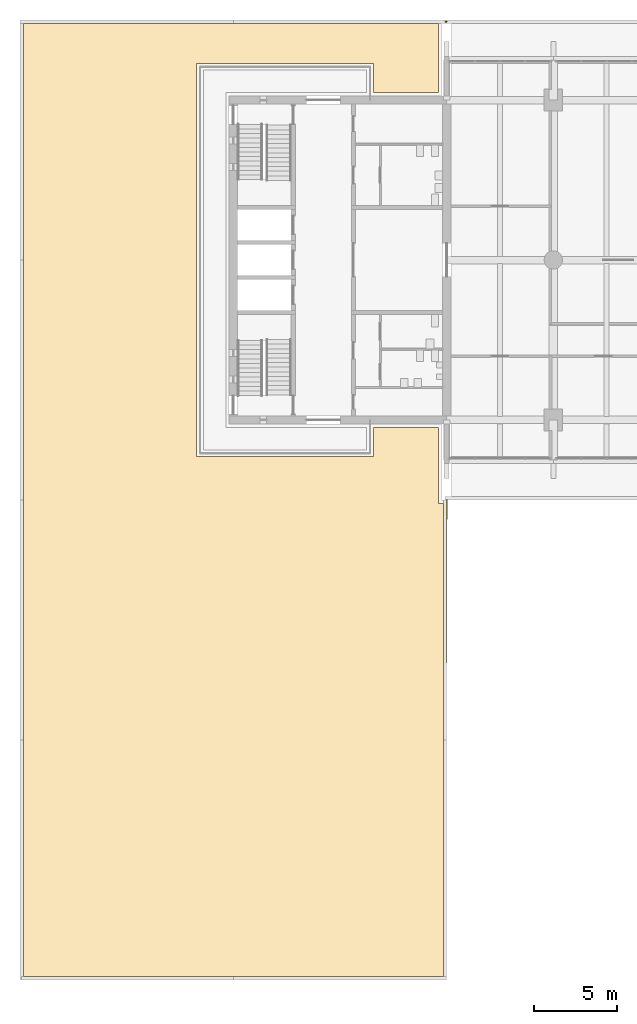
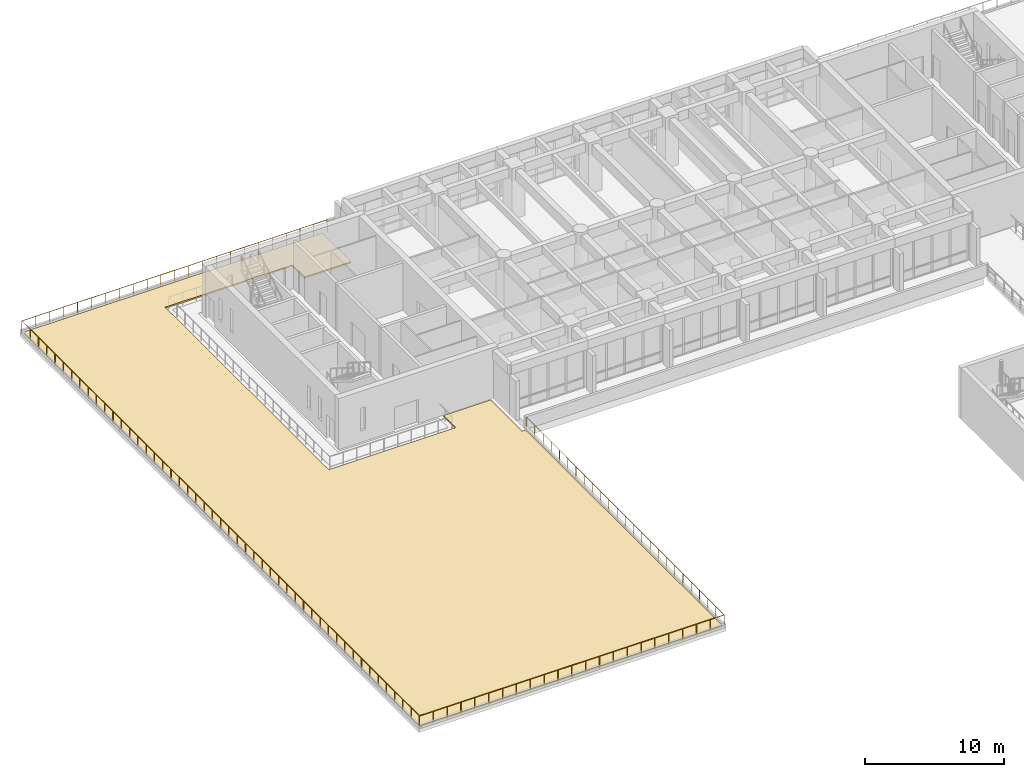
# One storey, part 17 of 21: 1 covering, 1 railing.
"""IFC4 building model written with IfcOpenShell, lengths in metres."""

from ifc_helpers import new_model, si_unit, direction, frame, origin, origin_2d, place, context, subcontext, project, spatial, polyline, circle, outline, extrude, material, layer, layer_set, type_object, element, save


model = new_model("IFC4")

# Units and contexts
model_context = context("Model", 3, precision=1e-05, world=origin(), true_north=direction((0.0, 1.0)))
body_context = subcontext(model_context, "Body", "Model", "MODEL_VIEW")
ifc_project = project(units=[si_unit("LENGTHUNIT", "METRE"), si_unit("AREAUNIT", "SQUARE_METRE"), si_unit("VOLUMEUNIT", "CUBIC_METRE"), si_unit("PLANEANGLEUNIT", "RADIAN"), si_unit("MASSUNIT", "GRAM", prefix="KILO")], contexts=[model_context])

# Site, building, storey
site_placement = place(None, origin())
site = spatial("IfcSite", under=ifc_project, at=site_placement, CompositionType="ELEMENT")
building_placement = place(site_placement, origin())
building = spatial("IfcBuilding", under=site, at=building_placement, Name="Fogon Plaza Fire Station and Headquarters Tower", CompositionType="ELEMENT")
storey_placement = place(building_placement, frame((0.0, 0.0, 8.39990234375)))
storey = spatial("IfcBuildingStorey", under=building, at=storey_placement, Name="L02", CompositionType="ELEMENT", Elevation=8.39990234375)

# Covering
ifc_material_1 = material(Name="Extensive green roof substrate and sedum")
ifc_layer = layer(ifc_material_1, 0.1201171875)
ifc_layer_set = layer_set([ifc_layer], Name="Extensive green roof substrate and sedum")
covering_type = type_object("IfcCoveringType", Name="Extensive Green Roof 120", PredefinedType="USERDEFINED", material=ifc_layer_set)
covering_placement = place(storey_placement, origin())
element("IfcCovering", 1, at=covering_placement, inside=storey, type_object=covering_type, Name="Green roof W", ObjectType="GREEN ROOF", PredefinedType="USERDEFINED", context=body_context, shape_type="SweptSolid", body=[
    extrude(outline(polyline([(0.199951171875, 0.199951171875), (0.199951171875, 57.39990234375), (25.10009765625, 57.39990234375), (25.10009765625, 53.25), (21.199951171875, 53.25), (21.199951171875, 55.0), (10.60009765625, 55.0), (10.60009765625, 31.39990234375), (21.199951171875, 31.39990234375), (21.199951171875, 33.14990234375), (25.10009765625, 33.14990234375), (25.10009765625, 28.60009765625), (25.39990234375, 28.60009765625), (25.39990234375, 0.199951171875), (0.199951171875, 0.199951171875)])), origin(), (0.0, 0.0, 1.0), 0.1201171875),
])

# Railing
ifc_material_2 = material(Name="Galvanised Steel", Category="steel")
railing_type = type_object("IfcRailingType", Name="Terrace Guard Steel 1100", PredefinedType="GUARDRAIL", material=ifc_material_2)
railing_placement = place(storey_placement, frame((25.60009765625, 28.800048828125, 0.0)))
element("IfcRailing", 2, at=railing_placement, inside=storey, type_object=railing_type, Name="rail-L02-terrace-TW", PredefinedType="GUARDRAIL", context=body_context, shape_type="SweptSolid", body=[
    extrude(circle(Radius=0.02392578125, at=origin_2d()), frame((0.0, 0.0, 1.076171875), z_axis=(-0.003487707935, -0.999993917928, 0.0), x_axis=(0.999993917928, -0.003487707935, 0.0)), (0.0, 0.0, 1.0), 28.7001953125),
    extrude(circle(Radius=0.02392578125, at=origin_2d()), frame((-0.10009765625, -28.699951171875, 1.076171875), z_axis=(-1.0, 0.0, 0.0), x_axis=(0.0, -1.0, 0.0)), (0.0, 0.0, 1.0), 25.39990234375),
    extrude(circle(Radius=0.02392578125, at=origin_2d()), frame((-25.5, -28.699951171875, 1.076171875), z_axis=(0.0, 1.0, 0.0), x_axis=(-1.0, 0.0, 0.0)), (0.0, 0.0, 1.0), 57.39990234375),
    extrude(circle(Radius=0.02392578125, at=origin_2d()), frame((-25.5, 28.699951171875, 1.076171875), z_axis=(1.0, 0.0, 0.0), x_axis=(0.0, 1.0, 0.0)), (0.0, 0.0, 1.0), 25.5),
    extrude(circle(Radius=0.02099609375, at=origin_2d()), origin(), (0.0, 0.0, 1.0), 1.052001953125),
    extrude(circle(Radius=0.02099609375, at=origin_2d()), frame((-0.004150390625, -1.19580078125, 0.0)), (0.0, 0.0, 1.0), 1.052001953125),
    extrude(circle(Radius=0.02099609375, at=origin_2d()), frame((-0.00830078125, -2.3916015625, 0.0)), (0.0, 0.0, 1.0), 1.052001953125),
    extrude(circle(Radius=0.02099609375, at=origin_2d()), frame((-0.012451171875, -3.58740234375, 0.0)), (0.0, 0.0, 1.0), 1.052001953125),
    extrude(circle(Radius=0.02099609375, at=origin_2d()), frame((-0.0166015625, -4.783203125, 0.0)), (0.0, 0.0, 1.0), 1.052001953125),
    extrude(circle(Radius=0.02099609375, at=origin_2d()), frame((-0.020751953125, -5.979248046875, 0.0)), (0.0, 0.0, 1.0), 1.052001953125),
    extrude(circle(Radius=0.02099609375, at=origin_2d()), frame((-0.02490234375, -7.175048828125, 0.0)), (0.0, 0.0, 1.0), 1.052001953125),
    extrude(circle(Radius=0.02099609375, at=origin_2d()), frame((-0.029296875, -8.370849609375, 0.0)), (0.0, 0.0, 1.0), 1.052001953125),
    extrude(circle(Radius=0.02099609375, at=origin_2d()), frame((-0.033447265625, -9.566650390625, 0.0)), (0.0, 0.0, 1.0), 1.052001953125),
    extrude(circle(Radius=0.02099609375, at=origin_2d()), frame((-0.03759765625, -10.762451171875, 0.0)), (0.0, 0.0, 1.0), 1.052001953125),
    extrude(circle(Radius=0.02099609375, at=origin_2d()), frame((-0.041748046875, -11.958251953125, 0.0)), (0.0, 0.0, 1.0), 1.052001953125),
    extrude(circle(Radius=0.02099609375, at=origin_2d()), frame((-0.0458984375, -13.154052734375, 0.0)), (0.0, 0.0, 1.0), 1.052001953125),
    extrude(circle(Radius=0.02099609375, at=origin_2d()), frame((-0.050048828125, -14.35009765625, 0.0)), (0.0, 0.0, 1.0), 1.052001953125),
    extrude(circle(Radius=0.02099609375, at=origin_2d()), frame((-0.05419921875, -15.5458984375, 0.0)), (0.0, 0.0, 1.0), 1.052001953125),
    extrude(circle(Radius=0.02099609375, at=origin_2d()), frame((-0.058349609375, -16.74169921875, 0.0)), (0.0, 0.0, 1.0), 1.052001953125),
    extrude(circle(Radius=0.02099609375, at=origin_2d()), frame((-0.0625, -17.9375, 0.0)), (0.0, 0.0, 1.0), 1.052001953125),
    extrude(circle(Radius=0.02099609375, at=origin_2d()), frame((-0.066650390625, -19.13330078125, 0.0)), (0.0, 0.0, 1.0), 1.052001953125),
    extrude(circle(Radius=0.02099609375, at=origin_2d()), frame((-0.07080078125, -20.3291015625, 0.0)), (0.0, 0.0, 1.0), 1.052001953125),
    extrude(circle(Radius=0.02099609375, at=origin_2d()), frame((-0.0751953125, -21.52490234375, 0.0)), (0.0, 0.0, 1.0), 1.052001953125),
    extrude(circle(Radius=0.02099609375, at=origin_2d()), frame((-0.079345703125, -22.720703125, 0.0)), (0.0, 0.0, 1.0), 1.052001953125),
    extrude(circle(Radius=0.02099609375, at=origin_2d()), frame((-0.08349609375, -23.91650390625, 0.0)), (0.0, 0.0, 1.0), 1.052001953125),
    extrude(circle(Radius=0.02099609375, at=origin_2d()), frame((-0.087646484375, -25.112548828125, 0.0)), (0.0, 0.0, 1.0), 1.052001953125),
    extrude(circle(Radius=0.02099609375, at=origin_2d()), frame((-0.091796875, -26.308349609375, 0.0)), (0.0, 0.0, 1.0), 1.052001953125),
    extrude(circle(Radius=0.02099609375, at=origin_2d()), frame((-0.095947265625, -27.504150390625, 0.0)), (0.0, 0.0, 1.0), 1.052001953125),
    extrude(circle(Radius=0.02099609375, at=origin_2d()), frame((-0.10009765625, -28.699951171875, 0.0)), (0.0, 0.0, 1.0), 1.052001953125),
    extrude(circle(Radius=0.02099609375, at=origin_2d()), frame((-1.254638671875, -28.699951171875, 0.0)), (0.0, 0.0, 1.0), 1.052001953125),
    extrude(circle(Radius=0.02099609375, at=origin_2d()), frame((-2.4091796875, -28.699951171875, 0.0)), (0.0, 0.0, 1.0), 1.052001953125),
    extrude(circle(Radius=0.02099609375, at=origin_2d()), frame((-3.563720703125, -28.699951171875, 0.0)), (0.0, 0.0, 1.0), 1.052001953125),
    extrude(circle(Radius=0.02099609375, at=origin_2d()), frame((-4.71826171875, -28.699951171875, 0.0)), (0.0, 0.0, 1.0), 1.052001953125),
    extrude(circle(Radius=0.02099609375, at=origin_2d()), frame((-5.872802734375, -28.699951171875, 0.0)), (0.0, 0.0, 1.0), 1.052001953125),
    extrude(circle(Radius=0.02099609375, at=origin_2d()), frame((-7.02734375, -28.699951171875, 0.0)), (0.0, 0.0, 1.0), 1.052001953125),
    extrude(circle(Radius=0.02099609375, at=origin_2d()), frame((-8.181884765625, -28.699951171875, 0.0)), (0.0, 0.0, 1.0), 1.052001953125),
    extrude(circle(Radius=0.02099609375, at=origin_2d()), frame((-9.33642578125, -28.699951171875, 0.0)), (0.0, 0.0, 1.0), 1.052001953125),
    extrude(circle(Radius=0.02099609375, at=origin_2d()), frame((-10.490966796875, -28.699951171875, 0.0)), (0.0, 0.0, 1.0), 1.052001953125),
    extrude(circle(Radius=0.02099609375, at=origin_2d()), frame((-11.6455078125, -28.699951171875, 0.0)), (0.0, 0.0, 1.0), 1.052001953125),
    extrude(circle(Radius=0.02099609375, at=origin_2d()), frame((-12.800048828125, -28.699951171875, 0.0)), (0.0, 0.0, 1.0), 1.052001953125),
    extrude(circle(Radius=0.02099609375, at=origin_2d()), frame((-13.95458984375, -28.699951171875, 0.0)), (0.0, 0.0, 1.0), 1.052001953125),
    extrude(circle(Radius=0.02099609375, at=origin_2d()), frame((-15.109130859375, -28.699951171875, 0.0)), (0.0, 0.0, 1.0), 1.052001953125),
    extrude(circle(Radius=0.02099609375, at=origin_2d()), frame((-16.263671875, -28.699951171875, 0.0)), (0.0, 0.0, 1.0), 1.052001953125),
    extrude(circle(Radius=0.02099609375, at=origin_2d()), frame((-17.418212890625, -28.699951171875, 0.0)), (0.0, 0.0, 1.0), 1.052001953125),
    extrude(circle(Radius=0.02099609375, at=origin_2d()), frame((-18.57275390625, -28.699951171875, 0.0)), (0.0, 0.0, 1.0), 1.052001953125),
    extrude(circle(Radius=0.02099609375, at=origin_2d()), frame((-19.727294921875, -28.699951171875, 0.0)), (0.0, 0.0, 1.0), 1.052001953125),
    extrude(circle(Radius=0.02099609375, at=origin_2d()), frame((-20.8818359375, -28.699951171875, 0.0)), (0.0, 0.0, 1.0), 1.052001953125),
    extrude(circle(Radius=0.02099609375, at=origin_2d()), frame((-22.036376953125, -28.699951171875, 0.0)), (0.0, 0.0, 1.0), 1.052001953125),
    extrude(circle(Radius=0.02099609375, at=origin_2d()), frame((-23.19091796875, -28.699951171875, 0.0)), (0.0, 0.0, 1.0), 1.052001953125),
    extrude(circle(Radius=0.02099609375, at=origin_2d()), frame((-24.345458984375, -28.699951171875, 0.0)), (0.0, 0.0, 1.0), 1.052001953125),
    extrude(circle(Radius=0.02099609375, at=origin_2d()), frame((-25.5, -28.699951171875, 0.0)), (0.0, 0.0, 1.0), 1.052001953125),
    extrude(circle(Radius=0.02099609375, at=origin_2d()), frame((-25.5, -27.504150390625, 0.0)), (0.0, 0.0, 1.0), 1.052001953125),
    extrude(circle(Radius=0.02099609375, at=origin_2d()), frame((-25.5, -26.308349609375, 0.0)), (0.0, 0.0, 1.0), 1.052001953125),
    extrude(circle(Radius=0.02099609375, at=origin_2d()), frame((-25.5, -25.112548828125, 0.0)), (0.0, 0.0, 1.0), 1.052001953125),
    extrude(circle(Radius=0.02099609375, at=origin_2d()), frame((-25.5, -23.91650390625, 0.0)), (0.0, 0.0, 1.0), 1.052001953125),
    extrude(circle(Radius=0.02099609375, at=origin_2d()), frame((-25.5, -22.720703125, 0.0)), (0.0, 0.0, 1.0), 1.052001953125),
    extrude(circle(Radius=0.02099609375, at=origin_2d()), frame((-25.5, -21.52490234375, 0.0)), (0.0, 0.0, 1.0), 1.052001953125),
    extrude(circle(Radius=0.02099609375, at=origin_2d()), frame((-25.5, -20.3291015625, 0.0)), (0.0, 0.0, 1.0), 1.052001953125),
    extrude(circle(Radius=0.02099609375, at=origin_2d()), frame((-25.5, -19.13330078125, 0.0)), (0.0, 0.0, 1.0), 1.052001953125),
    extrude(circle(Radius=0.02099609375, at=origin_2d()), frame((-25.5, -17.9375, 0.0)), (0.0, 0.0, 1.0), 1.052001953125),
    extrude(circle(Radius=0.02099609375, at=origin_2d()), frame((-25.5, -16.74169921875, 0.0)), (0.0, 0.0, 1.0), 1.052001953125),
    extrude(circle(Radius=0.02099609375, at=origin_2d()), frame((-25.5, -15.5458984375, 0.0)), (0.0, 0.0, 1.0), 1.052001953125),
    extrude(circle(Radius=0.02099609375, at=origin_2d()), frame((-25.5, -14.35009765625, 0.0)), (0.0, 0.0, 1.0), 1.052001953125),
    extrude(circle(Radius=0.02099609375, at=origin_2d()), frame((-25.5, -13.154052734375, 0.0)), (0.0, 0.0, 1.0), 1.052001953125),
    extrude(circle(Radius=0.02099609375, at=origin_2d()), frame((-25.5, -11.958251953125, 0.0)), (0.0, 0.0, 1.0), 1.052001953125),
    extrude(circle(Radius=0.02099609375, at=origin_2d()), frame((-25.5, -10.762451171875, 0.0)), (0.0, 0.0, 1.0), 1.052001953125),
    extrude(circle(Radius=0.02099609375, at=origin_2d()), frame((-25.5, -9.566650390625, 0.0)), (0.0, 0.0, 1.0), 1.052001953125),
    extrude(circle(Radius=0.02099609375, at=origin_2d()), frame((-25.5, -8.370849609375, 0.0)), (0.0, 0.0, 1.0), 1.052001953125),
    extrude(circle(Radius=0.02099609375, at=origin_2d()), frame((-25.5, -7.175048828125, 0.0)), (0.0, 0.0, 1.0), 1.052001953125),
    extrude(circle(Radius=0.02099609375, at=origin_2d()), frame((-25.5, -5.979248046875, 0.0)), (0.0, 0.0, 1.0), 1.052001953125),
    extrude(circle(Radius=0.02099609375, at=origin_2d()), frame((-25.5, -4.783203125, 0.0)), (0.0, 0.0, 1.0), 1.052001953125),
    extrude(circle(Radius=0.02099609375, at=origin_2d()), frame((-25.5, -3.58740234375, 0.0)), (0.0, 0.0, 1.0), 1.052001953125),
    extrude(circle(Radius=0.02099609375, at=origin_2d()), frame((-25.5, -2.3916015625, 0.0)), (0.0, 0.0, 1.0), 1.052001953125),
    extrude(circle(Radius=0.02099609375, at=origin_2d()), frame((-25.5, -1.19580078125, 0.0)), (0.0, 0.0, 1.0), 1.052001953125),
    extrude(circle(Radius=0.02099609375, at=origin_2d()), frame((-25.5, 0.0, 0.0)), (0.0, 0.0, 1.0), 1.052001953125),
    extrude(circle(Radius=0.02099609375, at=origin_2d()), frame((-25.5, 1.19580078125, 0.0)), (0.0, 0.0, 1.0), 1.052001953125),
    extrude(circle(Radius=0.02099609375, at=origin_2d()), frame((-25.5, 2.3916015625, 0.0)), (0.0, 0.0, 1.0), 1.052001953125),
    extrude(circle(Radius=0.02099609375, at=origin_2d()), frame((-25.5, 3.58740234375, 0.0)), (0.0, 0.0, 1.0), 1.052001953125),
    extrude(circle(Radius=0.02099609375, at=origin_2d()), frame((-25.5, 4.783203125, 0.0)), (0.0, 0.0, 1.0), 1.052001953125),
    extrude(circle(Radius=0.02099609375, at=origin_2d()), frame((-25.5, 5.979248046875, 0.0)), (0.0, 0.0, 1.0), 1.052001953125),
    extrude(circle(Radius=0.02099609375, at=origin_2d()), frame((-25.5, 7.175048828125, 0.0)), (0.0, 0.0, 1.0), 1.052001953125),
    extrude(circle(Radius=0.02099609375, at=origin_2d()), frame((-25.5, 8.370849609375, 0.0)), (0.0, 0.0, 1.0), 1.052001953125),
    extrude(circle(Radius=0.02099609375, at=origin_2d()), frame((-25.5, 9.566650390625, 0.0)), (0.0, 0.0, 1.0), 1.052001953125),
    extrude(circle(Radius=0.02099609375, at=origin_2d()), frame((-25.5, 10.762451171875, 0.0)), (0.0, 0.0, 1.0), 1.052001953125),
    extrude(circle(Radius=0.02099609375, at=origin_2d()), frame((-25.5, 11.958251953125, 0.0)), (0.0, 0.0, 1.0), 1.052001953125),
    extrude(circle(Radius=0.02099609375, at=origin_2d()), frame((-25.5, 13.154052734375, 0.0)), (0.0, 0.0, 1.0), 1.052001953125),
    extrude(circle(Radius=0.02099609375, at=origin_2d()), frame((-25.5, 14.35009765625, 0.0)), (0.0, 0.0, 1.0), 1.052001953125),
    extrude(circle(Radius=0.02099609375, at=origin_2d()), frame((-25.5, 15.5458984375, 0.0)), (0.0, 0.0, 1.0), 1.052001953125),
    extrude(circle(Radius=0.02099609375, at=origin_2d()), frame((-25.5, 16.74169921875, 0.0)), (0.0, 0.0, 1.0), 1.052001953125),
    extrude(circle(Radius=0.02099609375, at=origin_2d()), frame((-25.5, 17.9375, 0.0)), (0.0, 0.0, 1.0), 1.052001953125),
    extrude(circle(Radius=0.02099609375, at=origin_2d()), frame((-25.5, 19.13330078125, 0.0)), (0.0, 0.0, 1.0), 1.052001953125),
    extrude(circle(Radius=0.02099609375, at=origin_2d()), frame((-25.5, 20.3291015625, 0.0)), (0.0, 0.0, 1.0), 1.052001953125),
    extrude(circle(Radius=0.02099609375, at=origin_2d()), frame((-25.5, 21.52490234375, 0.0)), (0.0, 0.0, 1.0), 1.052001953125),
    extrude(circle(Radius=0.02099609375, at=origin_2d()), frame((-25.5, 22.720703125, 0.0)), (0.0, 0.0, 1.0), 1.052001953125),
    extrude(circle(Radius=0.02099609375, at=origin_2d()), frame((-25.5, 23.91650390625, 0.0)), (0.0, 0.0, 1.0), 1.052001953125),
    extrude(circle(Radius=0.02099609375, at=origin_2d()), frame((-25.5, 25.112548828125, 0.0)), (0.0, 0.0, 1.0), 1.052001953125),
    extrude(circle(Radius=0.02099609375, at=origin_2d()), frame((-25.5, 26.308349609375, 0.0)), (0.0, 0.0, 1.0), 1.052001953125),
    extrude(circle(Radius=0.02099609375, at=origin_2d()), frame((-25.5, 27.504150390625, 0.0)), (0.0, 0.0, 1.0), 1.052001953125),
    extrude(circle(Radius=0.02099609375, at=origin_2d()), frame((-25.5, 28.699951171875, 0.0)), (0.0, 0.0, 1.0), 1.052001953125),
    extrude(circle(Radius=0.02099609375, at=origin_2d()), frame((-24.3408203125, 28.699951171875, 0.0)), (0.0, 0.0, 1.0), 1.052001953125),
    extrude(circle(Radius=0.02099609375, at=origin_2d()), frame((-23.181884765625, 28.699951171875, 0.0)), (0.0, 0.0, 1.0), 1.052001953125),
    extrude(circle(Radius=0.02099609375, at=origin_2d()), frame((-22.022705078125, 28.699951171875, 0.0)), (0.0, 0.0, 1.0), 1.052001953125),
    extrude(circle(Radius=0.02099609375, at=origin_2d()), frame((-20.863525390625, 28.699951171875, 0.0)), (0.0, 0.0, 1.0), 1.052001953125),
    extrude(circle(Radius=0.02099609375, at=origin_2d()), frame((-19.70458984375, 28.699951171875, 0.0)), (0.0, 0.0, 1.0), 1.052001953125),
    extrude(circle(Radius=0.02099609375, at=origin_2d()), frame((-18.54541015625, 28.699951171875, 0.0)), (0.0, 0.0, 1.0), 1.052001953125),
    extrude(circle(Radius=0.02099609375, at=origin_2d()), frame((-17.386474609375, 28.699951171875, 0.0)), (0.0, 0.0, 1.0), 1.052001953125),
    extrude(circle(Radius=0.02099609375, at=origin_2d()), frame((-16.227294921875, 28.699951171875, 0.0)), (0.0, 0.0, 1.0), 1.052001953125),
    extrude(circle(Radius=0.02099609375, at=origin_2d()), frame((-15.068115234375, 28.699951171875, 0.0)), (0.0, 0.0, 1.0), 1.052001953125),
    extrude(circle(Radius=0.02099609375, at=origin_2d()), frame((-13.9091796875, 28.699951171875, 0.0)), (0.0, 0.0, 1.0), 1.052001953125),
    extrude(circle(Radius=0.02099609375, at=origin_2d()), frame((-12.75, 28.699951171875, 0.0)), (0.0, 0.0, 1.0), 1.052001953125),
    extrude(circle(Radius=0.02099609375, at=origin_2d()), frame((-11.5908203125, 28.699951171875, 0.0)), (0.0, 0.0, 1.0), 1.052001953125),
    extrude(circle(Radius=0.02099609375, at=origin_2d()), frame((-10.431884765625, 28.699951171875, 0.0)), (0.0, 0.0, 1.0), 1.052001953125),
    extrude(circle(Radius=0.02099609375, at=origin_2d()), frame((-9.272705078125, 28.699951171875, 0.0)), (0.0, 0.0, 1.0), 1.052001953125),
    extrude(circle(Radius=0.02099609375, at=origin_2d()), frame((-8.113525390625, 28.699951171875, 0.0)), (0.0, 0.0, 1.0), 1.052001953125),
    extrude(circle(Radius=0.02099609375, at=origin_2d()), frame((-6.95458984375, 28.699951171875, 0.0)), (0.0, 0.0, 1.0), 1.052001953125),
    extrude(circle(Radius=0.02099609375, at=origin_2d()), frame((-5.79541015625, 28.699951171875, 0.0)), (0.0, 0.0, 1.0), 1.052001953125),
    extrude(circle(Radius=0.02099609375, at=origin_2d()), frame((-4.636474609375, 28.699951171875, 0.0)), (0.0, 0.0, 1.0), 1.052001953125),
    extrude(circle(Radius=0.02099609375, at=origin_2d()), frame((-3.477294921875, 28.699951171875, 0.0)), (0.0, 0.0, 1.0), 1.052001953125),
    extrude(circle(Radius=0.02099609375, at=origin_2d()), frame((-2.318115234375, 28.699951171875, 0.0)), (0.0, 0.0, 1.0), 1.052001953125),
    extrude(circle(Radius=0.02099609375, at=origin_2d()), frame((-1.1591796875, 28.699951171875, 0.0)), (0.0, 0.0, 1.0), 1.052001953125),
    extrude(circle(Radius=0.02099609375, at=origin_2d()), frame((0.0, 28.699951171875, 0.0)), (0.0, 0.0, 1.0), 1.052001953125),
])

save(model, "model.ifc")
